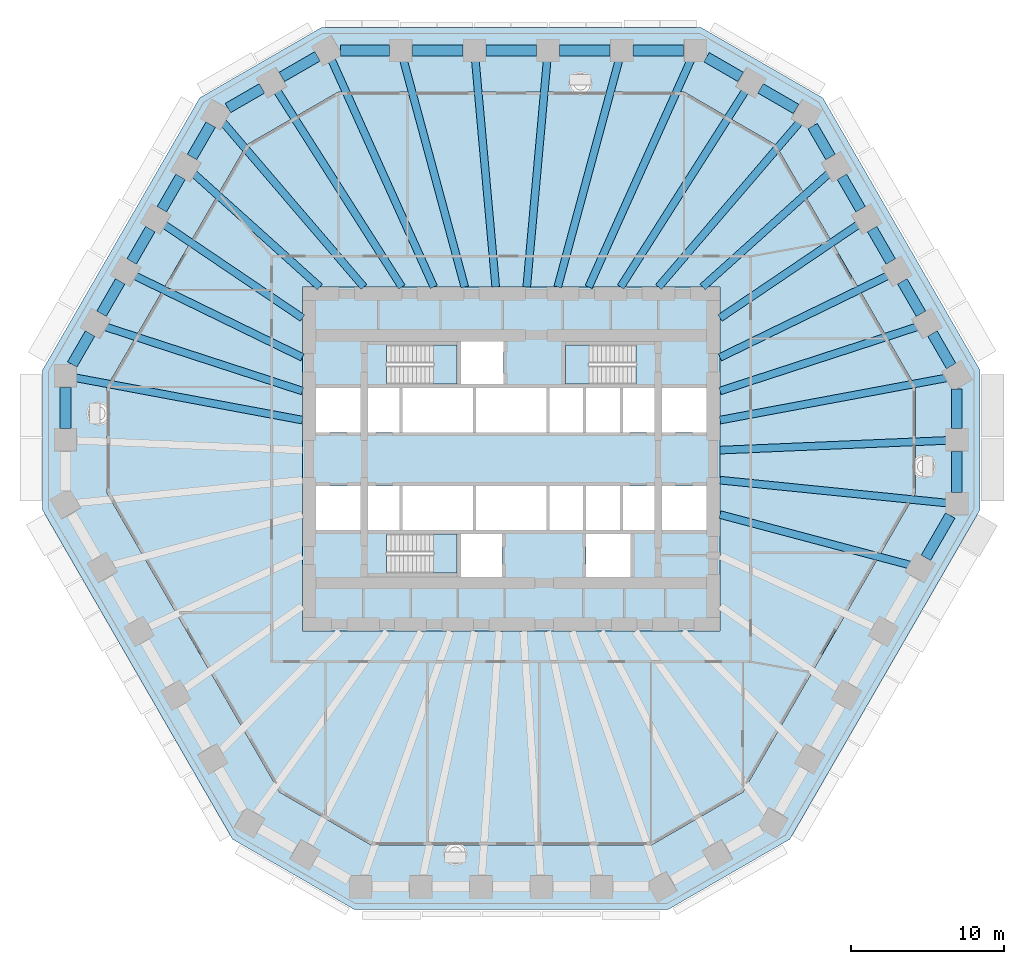
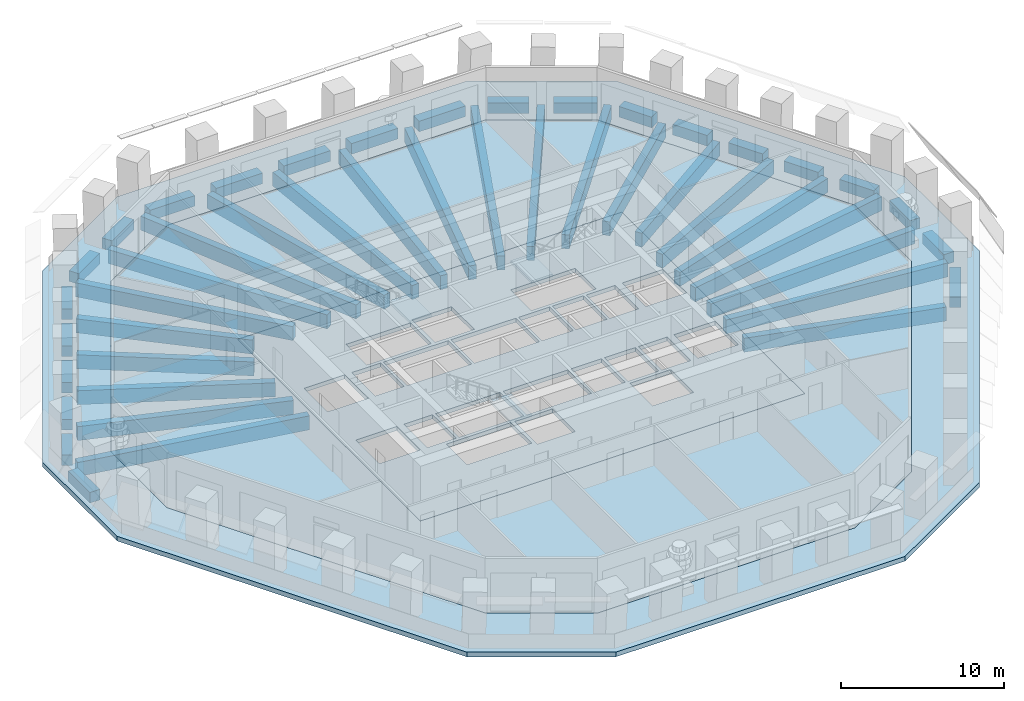
# One storey, part 2 of 12: 46 beams, 6 slabs, 3 elements without a shape of their own.
"""IFC4 building model written with IfcOpenShell, lengths in metres."""

from ifc_helpers import new_model, si_unit, direction, frame, origin, origin_2d, place, context, subcontext, project, spatial, polyline, rectangle, outline, extrude, material, layer, layer_set, material_profile, profile_set, type_object, element, aggregate, save


model = new_model("IFC4")

# Units and contexts
model_context = context("Model", 3, precision=1e-05, world=origin(), true_north=direction((0.0, 1.0)))
body_context = subcontext(model_context, "Body", "Model", "MODEL_VIEW")
ifc_project = project(units=[si_unit("LENGTHUNIT", "METRE"), si_unit("AREAUNIT", "SQUARE_METRE"), si_unit("VOLUMEUNIT", "CUBIC_METRE"), si_unit("PLANEANGLEUNIT", "RADIAN"), si_unit("MASSUNIT", "GRAM", prefix="KILO")], contexts=[model_context])

# Site, building, storey
site_placement = place(None, origin())
site = spatial("IfcSite", under=ifc_project, at=site_placement, CompositionType="ELEMENT")
building_placement = place(site_placement, origin())
building = spatial("IfcBuilding", under=site, at=building_placement, Name="Frailejon Research Tower", CompositionType="ELEMENT")
storey_placement = place(building_placement, frame((0.0, 0.0, 54.199951171875)))
storey = spatial("IfcBuildingStorey", under=building, at=storey_placement, Name="L12", CompositionType="ELEMENT", Elevation=54.199951171875)

# Beams
ifc_material_1 = material(Name="Concrete C60/75", Category="concrete")
ifc_material_profile_1 = material_profile(ifc_material_1, rectangle(XDim=0.5, YDim=1.050048828125, at=origin_2d()), Name="Girder 500x1050")
ifc_profile_set_1 = profile_set([ifc_material_profile_1], Name="Concrete C60/75")
beam_type_1 = type_object("IfcBeamType", Name="Girder 500x1050", PredefinedType="BEAM", material=ifc_profile_set_1)
beam_1_placement = place(storey_placement, frame((28.530517578125, -2.88232421875, -0.824951171875), z_axis=(-0.994935012539, 0.100520250812, 0.0), x_axis=(-0.100520250812, -0.994935012539, 0.0)))
element("IfcBeam", 1, at=beam_1_placement, inside=storey, type_object=beam_type_1, Name="Girder 500x1050", PredefinedType="BEAM", context=body_context, shape_type="SweptSolid", body=[
    extrude(rectangle(XDim=0.5, YDim=1.050048828125, at=origin_2d()), origin(), (0.0, 0.0, 1.0), 14.956298828125),
])
beam_2_placement = place(storey_placement, frame((28.53125, 1.218994140625, -0.824951171875), z_axis=(-0.999088017262, -0.042698170505, 0.0), x_axis=(0.042698170505, -0.999088017262, 0.0)))
element("IfcBeam", 2, at=beam_2_placement, inside=storey, type_object=beam_type_1, Name="Girder 500x1050", PredefinedType="BEAM", context=body_context, shape_type="SweptSolid", body=[
    extrude(rectangle(XDim=0.5, YDim=1.050048828125, at=origin_2d()), origin(), (0.0, 0.0, 1.0), 14.89501953125),
])
beam_3_placement = place(storey_placement, frame((28.496826171875, 5.313720703125, -0.824951171875), z_axis=(-0.983057435573, -0.183297786032, 0.0), x_axis=(0.183297786032, -0.983057435573, 0.0)))
element("IfcBeam", 3, at=beam_3_placement, inside=storey, type_object=beam_type_1, Name="Girder 500x1050", PredefinedType="BEAM", context=body_context, shape_type="SweptSolid", body=[
    extrude(rectangle(XDim=0.5, YDim=1.050048828125, at=origin_2d()), origin(), (0.0, 0.0, 1.0), 15.102783203125),
])
beam_4_placement = place(storey_placement, frame((26.57275390625, 8.656982421875, -0.824951171875), z_axis=(-0.950816816246, -0.309753744036, 0.0), x_axis=(0.309753744036, -0.950816816246, 0.0)))
element("IfcBeam", 4, at=beam_4_placement, inside=storey, type_object=beam_type_1, Name="Girder 500x1050", PredefinedType="BEAM", context=body_context, shape_type="SweptSolid", body=[
    extrude(rectangle(XDim=0.5, YDim=1.050048828125, at=origin_2d()), origin(), (0.0, 0.0, 1.0), 13.59130859375),
])
beam_5_placement = place(storey_placement, frame((24.645751953125, 12.000732421875, -0.824951171875), z_axis=(-0.899076912513, -0.43779070957, 0.0), x_axis=(0.43779070957, -0.899076912513, 0.0)))
element("IfcBeam", 5, at=beam_5_placement, inside=storey, type_object=beam_type_1, Name="Girder 500x1050", PredefinedType="BEAM", context=body_context, shape_type="SweptSolid", body=[
    extrude(rectangle(XDim=0.5, YDim=1.050048828125, at=origin_2d()), origin(), (0.0, 0.0, 1.0), 12.230224609375),
])
beam_6_placement = place(storey_placement, frame((22.7158203125, 15.343505859375, -0.824951171875), z_axis=(-0.828677371269, -0.55972655319, 0.0), x_axis=(0.55972655319, -0.828677371269, 0.0)))
element("IfcBeam", 6, at=beam_6_placement, inside=storey, type_object=beam_type_1, Name="Girder 500x1050", PredefinedType="BEAM", context=body_context, shape_type="SweptSolid", body=[
    extrude(rectangle(XDim=0.5, YDim=1.050048828125, at=origin_2d()), origin(), (0.0, 0.0, 1.0), 10.940185546875),
])
beam_7_placement = place(storey_placement, frame((20.78369140625, 18.68408203125, -0.824951171875), z_axis=(-0.743673940035, -0.668542497463, 0.0), x_axis=(0.668542497463, -0.743673940035, 0.0)))
element("IfcBeam", 7, at=beam_7_placement, inside=storey, type_object=beam_type_1, Name="Girder 500x1050", PredefinedType="BEAM", context=body_context, shape_type="SweptSolid", body=[
    extrude(rectangle(XDim=0.5, YDim=1.050048828125, at=origin_2d()), origin(), (0.0, 0.0, 1.0), 11.119873046875),
])
beam_8_placement = place(storey_placement, frame((18.871337890625, 22.046875, -0.824951171875), z_axis=(-0.650273443118, -0.759700236393, 0.0), x_axis=(0.759700236393, -0.650273443118, 0.0)))
element("IfcBeam", 8, at=beam_8_placement, inside=storey, type_object=beam_type_1, Name="Girder 500x1050", PredefinedType="BEAM", context=body_context, shape_type="SweptSolid", body=[
    extrude(rectangle(XDim=0.5, YDim=1.050048828125, at=origin_2d()), origin(), (0.0, 0.0, 1.0), 14.2119140625),
])
beam_9_placement = place(storey_placement, frame((15.321044921875, 24.099365234375, -0.824951171875), z_axis=(-0.536505049937, -0.843897109482, 0.0), x_axis=(0.843897109482, -0.536505049937, 0.0)))
element("IfcBeam", 9, at=beam_9_placement, inside=storey, type_object=beam_type_1, Name="Girder 500x1050", PredefinedType="BEAM", context=body_context, shape_type="SweptSolid", body=[
    extrude(rectangle(XDim=0.5, YDim=1.050048828125, at=origin_2d()), origin(), (0.0, 0.0, 1.0), 15.226318359375),
])
beam_10_placement = place(storey_placement, frame((11.740966796875, 26.0869140625, -0.824951171875), z_axis=(-0.410422076844, -0.911895673221, 0.0), x_axis=(0.911895673221, -0.410422076844, 0.0)))
element("IfcBeam", 10, at=beam_10_placement, inside=storey, type_object=beam_type_1, Name="Girder 500x1050", PredefinedType="BEAM", context=body_context, shape_type="SweptSolid", body=[
    extrude(rectangle(XDim=0.5, YDim=1.050048828125, at=origin_2d()), origin(), (0.0, 0.0, 1.0), 16.2705078125),
])
beam_11_placement = place(storey_placement, frame((7.046630859375, 26.0947265625, -0.824951171875), z_axis=(-0.26069426581, -0.965421410459, 0.0), x_axis=(0.965421410459, -0.26069426581, 0.0)))
element("IfcBeam", 11, at=beam_11_placement, inside=storey, type_object=beam_type_1, Name="Girder 500x1050", PredefinedType="BEAM", context=body_context, shape_type="SweptSolid", body=[
    extrude(rectangle(XDim=0.5, YDim=1.050048828125, at=origin_2d()), origin(), (0.0, 0.0, 1.0), 15.37646484375),
])
for number, where, z_axis, x_axis, name in (
    (12, (2.349365234375, 26.099365234375, -0.824951171875), (-0.08965280582, -0.995973079159, 0.0), (0.995973079159, -0.08965280582, 0.0), "Girder 500x1050"),
    (13, (-2.349365234375, 26.099365234375, -0.824951171875), (0.08965280582, -0.995973079159, 0.0), (0.995973079159, 0.08965280582, 0.0), "Girder 500x1050"),
):
    element("IfcBeam", number, at=place(storey_placement, frame(where, z_axis=z_axis, x_axis=x_axis)), inside=storey, type_object=beam_type_1, Name=name, PredefinedType="BEAM", context=body_context, shape_type="SweptSolid", body=[
        extrude(rectangle(XDim=0.5, YDim=1.050048828125, at=origin_2d()), origin(), (0.0, 0.0, 1.0), 14.909423828125),
    ])
beam_12_placement = place(storey_placement, frame((-7.046630859375, 26.0947265625, -0.824951171875), z_axis=(0.26069426581, -0.965421410459, 0.0), x_axis=(0.965421410459, 0.26069426581, 0.0)))
element("IfcBeam", 14, at=beam_12_placement, inside=storey, type_object=beam_type_1, Name="Girder 500x1050", PredefinedType="BEAM", context=body_context, shape_type="SweptSolid", body=[
    extrude(rectangle(XDim=0.5, YDim=1.050048828125, at=origin_2d()), origin(), (0.0, 0.0, 1.0), 15.37646484375),
])
beam_13_placement = place(storey_placement, frame((-11.76904296875, 26.1494140625, -0.824951171875), z_axis=(0.410419351012, -0.911896900047, 0.0), x_axis=(0.911896900047, 0.410419351012, 0.0)))
element("IfcBeam", 15, at=beam_13_placement, inside=storey, type_object=beam_type_1, Name="Girder 500x1050", PredefinedType="BEAM", context=body_context, shape_type="SweptSolid", body=[
    extrude(rectangle(XDim=0.5, YDim=1.050048828125, at=origin_2d()), origin(), (0.0, 0.0, 1.0), 16.3388671875),
])
beam_14_placement = place(storey_placement, frame((-15.321044921875, 24.099365234375, -0.824951171875), z_axis=(0.536505049937, -0.843897109482, 0.0), x_axis=(0.843897109482, 0.536505049937, 0.0)))
element("IfcBeam", 16, at=beam_14_placement, inside=storey, type_object=beam_type_1, Name="Girder 500x1050", PredefinedType="BEAM", context=body_context, shape_type="SweptSolid", body=[
    extrude(rectangle(XDim=0.5, YDim=1.050048828125, at=origin_2d()), origin(), (0.0, 0.0, 1.0), 15.226318359375),
])
beam_15_placement = place(storey_placement, frame((-18.850341796875, 22.022216796875, -0.824951171875), z_axis=(0.650277934843, -0.75969639163, 0.0), x_axis=(0.75969639163, 0.650277934843, 0.0)))
element("IfcBeam", 17, at=beam_15_placement, inside=storey, type_object=beam_type_1, Name="Girder 500x1050", PredefinedType="BEAM", context=body_context, shape_type="SweptSolid", body=[
    extrude(rectangle(XDim=0.5, YDim=1.050048828125, at=origin_2d()), origin(), (0.0, 0.0, 1.0), 14.1796875),
])
beam_16_placement = place(storey_placement, frame((-20.78369140625, 18.68408203125, -0.824951171875), z_axis=(0.743673940035, -0.668542497463, 0.0), x_axis=(0.668542497463, 0.743673940035, 0.0)))
element("IfcBeam", 18, at=beam_16_placement, inside=storey, type_object=beam_type_1, Name="Girder 500x1050", PredefinedType="BEAM", context=body_context, shape_type="SweptSolid", body=[
    extrude(rectangle(XDim=0.5, YDim=1.050048828125, at=origin_2d()), origin(), (0.0, 0.0, 1.0), 11.119873046875),
])
beam_17_placement = place(storey_placement, frame((-22.7158203125, 15.343505859375, -0.824951171875), z_axis=(0.828677371269, -0.55972655319, 0.0), x_axis=(0.55972655319, 0.828677371269, 0.0)))
element("IfcBeam", 19, at=beam_17_placement, inside=storey, type_object=beam_type_1, Name="Girder 500x1050", PredefinedType="BEAM", context=body_context, shape_type="SweptSolid", body=[
    extrude(rectangle(XDim=0.5, YDim=1.050048828125, at=origin_2d()), origin(), (0.0, 0.0, 1.0), 10.940185546875),
])
beam_18_placement = place(storey_placement, frame((-24.645751953125, 12.000732421875, -0.824951171875), z_axis=(0.899076912513, -0.43779070957, 0.0), x_axis=(0.43779070957, 0.899076912513, 0.0)))
element("IfcBeam", 20, at=beam_18_placement, inside=storey, type_object=beam_type_1, Name="Girder 500x1050", PredefinedType="BEAM", context=body_context, shape_type="SweptSolid", body=[
    extrude(rectangle(XDim=0.5, YDim=1.050048828125, at=origin_2d()), origin(), (0.0, 0.0, 1.0), 12.230224609375),
])
beam_19_placement = place(storey_placement, frame((-26.57275390625, 8.656982421875, -0.824951171875), z_axis=(0.950816816246, -0.309753744036, 0.0), x_axis=(0.309753744036, 0.950816816246, 0.0)))
element("IfcBeam", 21, at=beam_19_placement, inside=storey, type_object=beam_type_1, Name="Girder 500x1050", PredefinedType="BEAM", context=body_context, shape_type="SweptSolid", body=[
    extrude(rectangle(XDim=0.5, YDim=1.050048828125, at=origin_2d()), origin(), (0.0, 0.0, 1.0), 13.59130859375),
])
beam_20_placement = place(storey_placement, frame((-28.52880859375, 5.319580078125, -0.824951171875), z_axis=(0.983058673314, -0.183291147691, 0.0), x_axis=(0.183291147691, 0.983058673314, 0.0)))
element("IfcBeam", 22, at=beam_20_placement, inside=storey, type_object=beam_type_1, Name="Girder 500x1050", PredefinedType="BEAM", context=body_context, shape_type="SweptSolid", body=[
    extrude(rectangle(XDim=0.5, YDim=1.050048828125, at=origin_2d()), origin(), (0.0, 0.0, 1.0), 15.13525390625),
])
beam_21_placement = place(storey_placement, frame((26.1220703125, -6.94482421875, -0.824951171875), z_axis=(-0.966427456554, 0.25693962563, 0.0), x_axis=(-0.25693962563, -0.966427456554, 0.0)))
element("IfcBeam", 23, at=beam_21_placement, inside=storey, type_object=beam_type_1, Name="Girder 500x1050", PredefinedType="BEAM", context=body_context, shape_type="SweptSolid", body=[
    extrude(rectangle(XDim=0.5, YDim=1.050048828125, at=origin_2d()), origin(), (0.0, 0.0, 1.0), 12.905517578125),
])
ifc_material_2 = material(Name="Concrete C60/75", Category="concrete")
ifc_material_profile_2 = material_profile(ifc_material_2, rectangle(XDim=0.699951171875, YDim=0.800048828125, at=origin_2d()), Name="Spandrel 700x800")
ifc_profile_set_2 = profile_set([ifc_material_profile_2], Name="Concrete C60/75")
beam_type_2 = type_object("IfcBeamType", Name="Spandrel 700x800", PredefinedType="BEAM", material=ifc_profile_set_2)
beam_22_placement = place(storey_placement, frame((29.13134765625, -2.193115234375, -0.75), z_axis=(0.0, 1.0, 0.0), x_axis=(-1.0, 0.0, 0.0)))
element("IfcBeam", 24, at=beam_22_placement, inside=storey, type_object=beam_type_2, Name="Spandrel 700x800", PredefinedType="BEAM", context=body_context, shape_type="SweptSolid", body=[
    extrude(rectangle(XDim=0.699951171875, YDim=0.800048828125, at=origin_2d()), origin(), (0.0, 0.0, 1.0), 2.6875),
])
beam_23_placement = place(storey_placement, frame((29.13134765625, 1.994384765625, -0.75), z_axis=(0.0, 1.0, 0.0), x_axis=(-1.0, 0.0, 0.0)))
element("IfcBeam", 25, at=beam_23_placement, inside=storey, type_object=beam_type_2, Name="Spandrel 700x800", PredefinedType="BEAM", context=body_context, shape_type="SweptSolid", body=[
    extrude(rectangle(XDim=0.699951171875, YDim=0.800048828125, at=origin_2d()), origin(), (0.0, 0.0, 1.0), 2.571533203125),
])
for number, where, z_axis, x_axis, name in (
    (26, (28.75634765625, 6.08154296875, -0.75), (-0.500059608667, 0.865990985969, 0.0), (-0.865990985969, -0.500059608667, 0.0), "Spandrel 700x800"),
    (27, (26.783935546875, 9.49755859375, -0.75), (-0.499941460885, 0.86605919872, 0.0), (-0.86605919872, -0.499941460885, 0.0), "Spandrel 700x800"),
):
    element("IfcBeam", number, at=place(storey_placement, frame(where, z_axis=z_axis, x_axis=x_axis)), inside=storey, type_object=beam_type_2, Name=name, PredefinedType="BEAM", context=body_context, shape_type="SweptSolid", body=[
        extrude(rectangle(XDim=0.699951171875, YDim=0.800048828125, at=origin_2d()), origin(), (0.0, 0.0, 1.0), 2.444580078125),
    ])
beam_24_placement = place(storey_placement, frame((24.811767578125, 12.913818359375, -0.75), z_axis=(-0.499984704934, 0.866034234215, 0.0), x_axis=(-0.866034234215, -0.499984704934, 0.0)))
element("IfcBeam", 28, at=beam_24_placement, inside=storey, type_object=beam_type_2, Name="Spandrel 700x800", PredefinedType="BEAM", context=body_context, shape_type="SweptSolid", body=[
    extrude(rectangle(XDim=0.699951171875, YDim=0.800048828125, at=origin_2d()), origin(), (0.0, 0.0, 1.0), 2.4443359375),
])
beam_25_placement = place(storey_placement, frame((22.839599609375, 16.329833984375, -0.75), z_axis=(-0.500016362458, 0.866015956709, 0.0), x_axis=(-0.866015956709, -0.500016362458, 0.0)))
element("IfcBeam", 29, at=beam_25_placement, inside=storey, type_object=beam_type_2, Name="Spandrel 700x800", PredefinedType="BEAM", context=body_context, shape_type="SweptSolid", body=[
    extrude(rectangle(XDim=0.699951171875, YDim=0.800048828125, at=origin_2d()), origin(), (0.0, 0.0, 1.0), 2.44482421875),
])
beam_26_placement = place(storey_placement, frame((20.8671875, 19.745849609375, -0.75), z_axis=(-0.500006823559, 0.866021464165, 0.0), x_axis=(-0.866021464165, -0.500006823559, 0.0)))
element("IfcBeam", 30, at=beam_26_placement, inside=storey, type_object=beam_type_2, Name="Spandrel 700x800", PredefinedType="BEAM", context=body_context, shape_type="SweptSolid", body=[
    extrude(rectangle(XDim=0.699951171875, YDim=0.800048828125, at=origin_2d()), origin(), (0.0, 0.0, 1.0), 2.32861328125),
])
beam_27_placement = place(storey_placement, frame((18.620361328125, 22.887451171875, -0.75), z_axis=(-0.866020687897, 0.500008168067, 0.0), x_axis=(-0.500008168067, -0.866020687897, 0.0)))
element("IfcBeam", 31, at=beam_27_placement, inside=storey, type_object=beam_type_2, Name="Spandrel 700x800", PredefinedType="BEAM", context=body_context, shape_type="SweptSolid", body=[
    extrude(rectangle(XDim=0.699951171875, YDim=0.800048828125, at=origin_2d()), origin(), (0.0, 0.0, 1.0), 2.6875),
])
beam_28_placement = place(storey_placement, frame((14.993896484375, 24.981201171875, -0.75), z_axis=(-0.866008514048, 0.50002925274, 0.0), x_axis=(-0.50002925274, -0.866008514048, 0.0)))
element("IfcBeam", 32, at=beam_28_placement, inside=storey, type_object=beam_type_2, Name="Spandrel 700x800", PredefinedType="BEAM", context=body_context, shape_type="SweptSolid", body=[
    extrude(rectangle(XDim=0.699951171875, YDim=0.800048828125, at=origin_2d()), origin(), (0.0, 0.0, 1.0), 2.571533203125),
])
beam_29_placement = place(storey_placement, frame((11.266845703125, 26.699951171875, -0.75), z_axis=(-1.0, 0.0, 0.0), x_axis=(0.0, -1.0, 0.0)))
element("IfcBeam", 33, at=beam_29_placement, inside=storey, type_object=beam_type_2, Name="Spandrel 700x800", PredefinedType="BEAM", context=body_context, shape_type="SweptSolid", body=[
    extrude(rectangle(XDim=0.699951171875, YDim=0.800048828125, at=origin_2d()), origin(), (0.0, 0.0, 1.0), 3.306640625),
])
beam_30_placement = place(storey_placement, frame((6.460205078125, 26.699951171875, -0.75), z_axis=(-1.0, 0.0, 0.0), x_axis=(0.0, -1.0, 0.0)))
element("IfcBeam", 34, at=beam_30_placement, inside=storey, type_object=beam_type_2, Name="Spandrel 700x800", PredefinedType="BEAM", context=body_context, shape_type="SweptSolid", body=[
    extrude(rectangle(XDim=0.699951171875, YDim=0.800048828125, at=origin_2d()), origin(), (0.0, 0.0, 1.0), 3.306884765625),
])
beam_31_placement = place(storey_placement, frame((1.6533203125, 26.699951171875, -0.75), z_axis=(-1.0, 0.0, 0.0), x_axis=(0.0, -1.0, 0.0)))
element("IfcBeam", 35, at=beam_31_placement, inside=storey, type_object=beam_type_2, Name="Spandrel 700x800", PredefinedType="BEAM", context=body_context, shape_type="SweptSolid", body=[
    extrude(rectangle(XDim=0.699951171875, YDim=0.800048828125, at=origin_2d()), origin(), (0.0, 0.0, 1.0), 3.306640625),
])
beam_32_placement = place(storey_placement, frame((-3.1533203125, 26.699951171875, -0.75), z_axis=(-1.0, 0.0, 0.0), x_axis=(0.0, -1.0, 0.0)))
element("IfcBeam", 36, at=beam_32_placement, inside=storey, type_object=beam_type_2, Name="Spandrel 700x800", PredefinedType="BEAM", context=body_context, shape_type="SweptSolid", body=[
    extrude(rectangle(XDim=0.699951171875, YDim=0.800048828125, at=origin_2d()), origin(), (0.0, 0.0, 1.0), 3.306884765625),
])
beam_33_placement = place(storey_placement, frame((-7.960205078125, 26.699951171875, -0.75), z_axis=(-1.0, 0.0, 0.0), x_axis=(0.0, -1.0, 0.0)))
element("IfcBeam", 37, at=beam_33_placement, inside=storey, type_object=beam_type_2, Name="Spandrel 700x800", PredefinedType="BEAM", context=body_context, shape_type="SweptSolid", body=[
    extrude(rectangle(XDim=0.699951171875, YDim=0.800048828125, at=origin_2d()), origin(), (0.0, 0.0, 1.0), 3.190673828125),
])
beam_34_placement = place(storey_placement, frame((-12.66650390625, 26.324951171875, -0.75), z_axis=(-0.866020687897, -0.500008168067, 0.0), x_axis=(0.500008168067, -0.866020687897, 0.0)))
element("IfcBeam", 38, at=beam_34_placement, inside=storey, type_object=beam_type_2, Name="Spandrel 700x800", PredefinedType="BEAM", context=body_context, shape_type="SweptSolid", body=[
    extrude(rectangle(XDim=0.699951171875, YDim=0.800048828125, at=origin_2d()), origin(), (0.0, 0.0, 1.0), 2.6875),
])
beam_35_placement = place(storey_placement, frame((-16.29296875, 24.231201171875, -0.75), z_axis=(-0.866008514048, -0.50002925274, 0.0), x_axis=(0.50002925274, -0.866008514048, 0.0)))
element("IfcBeam", 39, at=beam_35_placement, inside=storey, type_object=beam_type_2, Name="Spandrel 700x800", PredefinedType="BEAM", context=body_context, shape_type="SweptSolid", body=[
    extrude(rectangle(XDim=0.699951171875, YDim=0.800048828125, at=origin_2d()), origin(), (0.0, 0.0, 1.0), 2.571533203125),
])
beam_36_placement = place(storey_placement, frame((-19.64501953125, 21.86279296875, -0.75), z_axis=(-0.499984704934, -0.866034234215, 0.0), x_axis=(0.866034234215, -0.499984704934, 0.0)))
element("IfcBeam", 40, at=beam_36_placement, inside=storey, type_object=beam_type_2, Name="Spandrel 700x800", PredefinedType="BEAM", context=body_context, shape_type="SweptSolid", body=[
    extrude(rectangle(XDim=0.699951171875, YDim=0.800048828125, at=origin_2d()), origin(), (0.0, 0.0, 1.0), 2.4443359375),
])
beam_37_placement = place(storey_placement, frame((-21.6171875, 18.447021484375, -0.75), z_axis=(-0.500016362458, -0.866015956709, 0.0), x_axis=(0.866015956709, -0.500016362458, 0.0)))
element("IfcBeam", 41, at=beam_37_placement, inside=storey, type_object=beam_type_2, Name="Spandrel 700x800", PredefinedType="BEAM", context=body_context, shape_type="SweptSolid", body=[
    extrude(rectangle(XDim=0.699951171875, YDim=0.800048828125, at=origin_2d()), origin(), (0.0, 0.0, 1.0), 2.44482421875),
])
beam_38_placement = place(storey_placement, frame((-23.589599609375, 15.03076171875, -0.75), z_axis=(-0.499984704934, -0.866034234215, 0.0), x_axis=(0.866034234215, -0.499984704934, 0.0)))
element("IfcBeam", 42, at=beam_38_placement, inside=storey, type_object=beam_type_2, Name="Spandrel 700x800", PredefinedType="BEAM", context=body_context, shape_type="SweptSolid", body=[
    extrude(rectangle(XDim=0.699951171875, YDim=0.800048828125, at=origin_2d()), origin(), (0.0, 0.0, 1.0), 2.4443359375),
])
beam_39_placement = place(storey_placement, frame((-25.561767578125, 11.61474609375, -0.75), z_axis=(-0.499941460885, -0.86605919872, 0.0), x_axis=(0.86605919872, -0.499941460885, 0.0)))
element("IfcBeam", 43, at=beam_39_placement, inside=storey, type_object=beam_type_2, Name="Spandrel 700x800", PredefinedType="BEAM", context=body_context, shape_type="SweptSolid", body=[
    extrude(rectangle(XDim=0.699951171875, YDim=0.800048828125, at=origin_2d()), origin(), (0.0, 0.0, 1.0), 2.444580078125),
])
beam_40_placement = place(storey_placement, frame((-27.533935546875, 8.198486328125, -0.75), z_axis=(-0.500006823559, -0.866021464165, 0.0), x_axis=(0.866021464165, -0.500006823559, 0.0)))
element("IfcBeam", 44, at=beam_40_placement, inside=storey, type_object=beam_type_2, Name="Spandrel 700x800", PredefinedType="BEAM", context=body_context, shape_type="SweptSolid", body=[
    extrude(rectangle(XDim=0.699951171875, YDim=0.800048828125, at=origin_2d()), origin(), (0.0, 0.0, 1.0), 2.32861328125),
])
beam_41_placement = place(storey_placement, frame((-29.13134765625, 4.681884765625, -0.75), z_axis=(0.0, -1.0, 0.0), x_axis=(1.0, 0.0, 0.0)))
element("IfcBeam", 45, at=beam_41_placement, inside=storey, type_object=beam_type_2, Name="Spandrel 700x800", PredefinedType="BEAM", context=body_context, shape_type="SweptSolid", body=[
    extrude(rectangle(XDim=0.699951171875, YDim=0.800048828125, at=origin_2d()), origin(), (0.0, 0.0, 1.0), 2.6875),
])
beam_42_placement = place(storey_placement, frame((27.102783203125, -6.456298828125, -0.75), z_axis=(0.50003154259, 0.866007191896, 0.0), x_axis=(-0.866007191896, 0.50003154259, 0.0)))
element("IfcBeam", 46, at=beam_42_placement, inside=storey, type_object=beam_type_2, Name="Spandrel 700x800", PredefinedType="BEAM", context=body_context, shape_type="SweptSolid", body=[
    extrude(rectangle(XDim=0.699951171875, YDim=0.800048828125, at=origin_2d()), origin(), (0.0, 0.0, 1.0), 3.190673828125),
])

# Slabs
ifc_material_3 = material(Name="Concrete C70/85", Category="concrete")
ifc_layer_1 = layer(ifc_material_3, 0.300048828125)
ifc_layer_set_1 = layer_set([ifc_layer_1], Name="Core floor slab 300 C70/85")
slab_type_1 = type_object("IfcSlabType", Name="Core floor slab 300 C70/85", PredefinedType="FLOOR", material=ifc_layer_set_1)
slab_1_placement = place(storey_placement, frame((0.0, 0.0, -0.300048828125)))
element("IfcSlab", 47, at=slab_1_placement, inside=storey, type_object=slab_type_1, Name="Core floor slab", PredefinedType="FLOOR", context=body_context, shape_type="SweptSolid", body=[
    extrude(outline(polyline([(13.64990234375, -11.25), (13.64990234375, 11.25), (-13.64990234375, 11.25), (-13.64990234375, -11.25), (13.64990234375, -11.25)]), holes=[polyline([(-9.85009765625, 1.75), (-9.85009765625, 4.64990234375), (-12.75, 4.64990234375), (-12.75, 1.75), (-9.85009765625, 1.75)]), polyline([(-7.300048828125, 1.75), (-7.300048828125, 4.64990234375), (-9.35009765625, 4.64990234375), (-9.35009765625, 1.75), (-7.300048828125, 1.75)]), polyline([(-2.5, 1.75), (-2.5, 4.64990234375), (-7.10009765625, 4.64990234375), (-7.10009765625, 1.75), (-2.5, 1.75)]), polyline([(2.300048828125, 1.75), (2.300048828125, 4.64990234375), (-2.300048828125, 4.64990234375), (-2.300048828125, 1.75), (2.300048828125, 1.75)]), polyline([(4.699951171875, 1.75), (4.699951171875, 4.64990234375), (2.5, 4.64990234375), (2.5, 1.75), (4.699951171875, 1.75)]), polyline([(7.10009765625, 1.75), (7.10009765625, 4.64990234375), (4.89990234375, 4.64990234375), (4.89990234375, 1.75), (7.10009765625, 1.75)]), polyline([(9.35009765625, 1.75), (9.35009765625, 4.64990234375), (7.300048828125, 4.64990234375), (7.300048828125, 1.75), (9.35009765625, 1.75)]), polyline([(12.75, 1.75), (12.75, 4.64990234375), (9.85009765625, 4.64990234375), (9.85009765625, 1.75), (12.75, 1.75)]), polyline([(-9.85009765625, -4.64990234375), (-9.85009765625, -1.75), (-12.75, -1.75), (-12.75, -4.64990234375), (-9.85009765625, -4.64990234375)]), polyline([(-7.300048828125, -4.64990234375), (-7.300048828125, -1.75), (-9.35009765625, -1.75), (-9.35009765625, -4.64990234375), (-7.300048828125, -4.64990234375)]), polyline([(-2.5, -4.64990234375), (-2.5, -1.75), (-7.10009765625, -1.75), (-7.10009765625, -4.64990234375), (-2.5, -4.64990234375)]), polyline([(2.300048828125, -4.64990234375), (2.300048828125, -1.75), (-2.300048828125, -1.75), (-2.300048828125, -4.64990234375), (2.300048828125, -4.64990234375)]), polyline([(4.699951171875, -4.64990234375), (4.699951171875, -1.75), (2.5, -1.75), (2.5, -4.64990234375), (4.699951171875, -4.64990234375)]), polyline([(7.10009765625, -4.64990234375), (7.10009765625, -1.75), (4.89990234375, -1.75), (4.89990234375, -4.64990234375), (7.10009765625, -4.64990234375)]), polyline([(9.35009765625, -4.64990234375), (9.35009765625, -1.75), (7.300048828125, -1.75), (7.300048828125, -4.64990234375), (9.35009765625, -4.64990234375)]), polyline([(12.75, -4.64990234375), (12.75, -1.75), (9.85009765625, -1.75), (9.85009765625, -4.64990234375), (12.75, -4.64990234375)]), polyline([(-8.14697265625, 4.89990234375), (-3.550048828125, 4.89990234375), (-3.550048828125, 7.449951171875), (-8.14697265625, 7.449951171875), (-8.14697265625, 4.89990234375)]), polyline([(-8.14697265625, -7.449951171875), (-3.550048828125, -7.449951171875), (-3.550048828125, -4.89990234375), (-8.14697265625, -4.89990234375), (-8.14697265625, -7.449951171875)]), polyline([(8.14697265625, 7.449951171875), (3.550048828125, 7.449951171875), (3.550048828125, 4.89990234375), (8.14697265625, 4.89990234375), (8.14697265625, 7.449951171875)]), polyline([(-0.60009765625, -7.699951171875), (-0.60009765625, -4.89990234375), (-3.300048828125, -4.89990234375), (-3.300048828125, -7.699951171875), (-0.60009765625, -7.699951171875)]), polyline([(7.800048828125, -7.699951171875), (7.800048828125, -4.89990234375), (4.89990234375, -4.89990234375), (4.89990234375, -7.699951171875), (7.800048828125, -7.699951171875)]), polyline([(-0.5, 4.89990234375), (-0.5, 7.699951171875), (-3.300048828125, 7.699951171875), (-3.300048828125, 4.89990234375), (-0.5, 4.89990234375)])]), origin(), (0.0, 0.0, 1.0), 0.300048828125),
])
ifc_material_4 = material(Name="Concrete C40/50", Category="concrete")
ifc_layer_2 = layer(ifc_material_4, 0.35009765625)
ifc_layer_set_2 = layer_set([ifc_layer_2], Name="Loggia slab 350")
slab_type_2 = type_object("IfcSlabType", Name="Loggia slab 350", PredefinedType="USERDEFINED", material=ifc_layer_set_2)
slab_2_placement = place(storey_placement, frame((0.0, 0.0, -0.349853515625)))
element("IfcSlab", 48, at=slab_2_placement, inside=storey, type_object=slab_type_2, Name="Loggia slab L12", ObjectType="LOGGIA", PredefinedType="USERDEFINED", context=body_context, shape_type="SweptSolid", body=[
    extrude(outline(polyline([(18.21240234375, -24.85498046875), (10.26318359375, -29.444580078125), (-10.26318359375, -29.444580078125), (-18.21240234375, -24.85498046875), (-30.63134765625, -3.344970703125), (-30.63134765625, 5.833984375), (-20.367919921875, 23.610595703125), (-12.418701171875, 28.199951171875), (12.418701171875, 28.199951171875), (20.367919921875, 23.610595703125), (30.63134765625, 5.833984375), (30.63134765625, -3.344970703125), (18.21240234375, -24.85498046875)]), holes=[polyline([(26.431396484375, 4.70849609375), (17.29345703125, 20.535888671875), (11.29345703125, 24.0), (-11.29345703125, 24.0), (-17.29345703125, 20.535888671875), (-26.431396484375, 4.70849609375), (-26.431396484375, -2.219482421875), (-15.137939453125, -21.780517578125), (-9.137939453125, -25.244384765625), (9.137939453125, -25.244384765625), (15.137939453125, -21.780517578125), (26.431396484375, -2.219482421875), (26.431396484375, 4.70849609375)])]), origin(), (0.0, 0.0, 1.0), 0.349853515625),
])
ifc_material_5 = material(Name="Concrete C40/50", Category="concrete")
ifc_layer_3 = layer(ifc_material_5, 0.300048828125)
ifc_layer_set_3 = layer_set([ifc_layer_3], Name="Slab typical 300")
slab_type_3 = type_object("IfcSlabType", Name="Slab typical 300", PredefinedType="FLOOR", material=ifc_layer_set_3)
slab_3_placement = place(storey_placement, frame((0.0, 0.0, -0.300048828125)))
element("IfcSlab", 49, at=slab_3_placement, inside=storey, type_object=slab_type_3, Name="Floor slab L12", PredefinedType="FLOOR", context=body_context, shape_type="SweptSolid", body=[
    extrude(outline(polyline([(26.431396484375, -2.219482421875), (26.431396484375, 4.70849609375), (17.29345703125, 20.535888671875), (11.29345703125, 24.0), (-11.29345703125, 24.0), (-17.29345703125, 20.535888671875), (-26.431396484375, 4.70849609375), (-26.431396484375, -2.219482421875), (-15.137939453125, -21.780517578125), (-9.137939453125, -25.244384765625), (9.137939453125, -25.244384765625), (15.137939453125, -21.780517578125), (26.431396484375, -2.219482421875)]), holes=[polyline([(13.64990234375, -11.25), (-13.64990234375, -11.25), (-13.64990234375, 11.25), (13.64990234375, 11.25), (13.64990234375, -11.25)])]), origin(), (0.0, 0.0, 1.0), 0.300048828125),
])

# Stair, slab
ifc_material_6 = material(Name="Concrete C50/60", Category="concrete")
stair_type = type_object("IfcStairType", Name="Exit stair 24 risers", PredefinedType="HALF_TURN_STAIR", material=ifc_material_6)
stair_1_placement = place(storey_placement, origin())
stair_1 = element("IfcStair", 50, at=stair_1_placement, inside=storey, type_object=stair_type, Name="L12 Exit stair ST1", PredefinedType="HALF_TURN_STAIR")
ifc_material_7 = material(Name="Concrete C50/60", Category="concrete")
ifc_layer_4 = layer(ifc_material_7, 0.199951171875)
ifc_layer_set_4 = layer_set([ifc_layer_4], Name="Stair landing slab 200")
slab_type_4 = type_object("IfcSlabType", Name="Stair landing slab 200", PredefinedType="LANDING", material=ifc_layer_set_4)
slab_4_placement = place(storey_placement, frame((0.0, 0.0, 2.0)))
slab_4 = element("IfcSlab", 51, at=slab_4_placement, type_object=slab_type_4, Name="ST1 landing 1", PredefinedType="LANDING", context=body_context, shape_type="SweptSolid", body=[
    extrude(outline(polyline([(-5.070068359375, 4.89990234375), (-3.550048828125, 4.89990234375), (-3.550048828125, 7.449951171875), (-5.070068359375, 7.449951171875), (-5.070068359375, 4.89990234375)])), origin(), (0.0, 0.0, 1.0), 0.199951171875),
])
aggregate(stair_1, [slab_4])

stair_2_placement = place(storey_placement, origin())
stair_2 = element("IfcStair", 52, at=stair_2_placement, inside=storey, type_object=stair_type, Name="L12 Exit stair ST2", PredefinedType="HALF_TURN_STAIR")
slab_5_placement = place(storey_placement, frame((0.0, 0.0, 2.0)))
slab_5 = element("IfcSlab", 53, at=slab_5_placement, type_object=slab_type_4, Name="ST2 landing 1", PredefinedType="LANDING", context=body_context, shape_type="SweptSolid", body=[
    extrude(outline(polyline([(-5.070068359375, -7.449951171875), (-3.550048828125, -7.449951171875), (-3.550048828125, -4.89990234375), (-5.070068359375, -4.89990234375), (-5.070068359375, -7.449951171875)])), origin(), (0.0, 0.0, 1.0), 0.199951171875),
])
aggregate(stair_2, [slab_5])

stair_3_placement = place(storey_placement, origin())
stair_3 = element("IfcStair", 54, at=stair_3_placement, inside=storey, type_object=stair_type, Name="L12 Exit stair ST3", PredefinedType="HALF_TURN_STAIR")
slab_6_placement = place(storey_placement, frame((0.0, 0.0, 2.0)))
slab_6 = element("IfcSlab", 55, at=slab_6_placement, type_object=slab_type_4, Name="ST3 landing 1", PredefinedType="LANDING", context=body_context, shape_type="SweptSolid", body=[
    extrude(outline(polyline([(5.070068359375, 7.449951171875), (3.550048828125, 7.449951171875), (3.550048828125, 4.89990234375), (5.070068359375, 4.89990234375), (5.070068359375, 7.449951171875)])), origin(), (0.0, 0.0, 1.0), 0.199951171875),
])
aggregate(stair_3, [slab_6])

save(model, "model.ifc")
